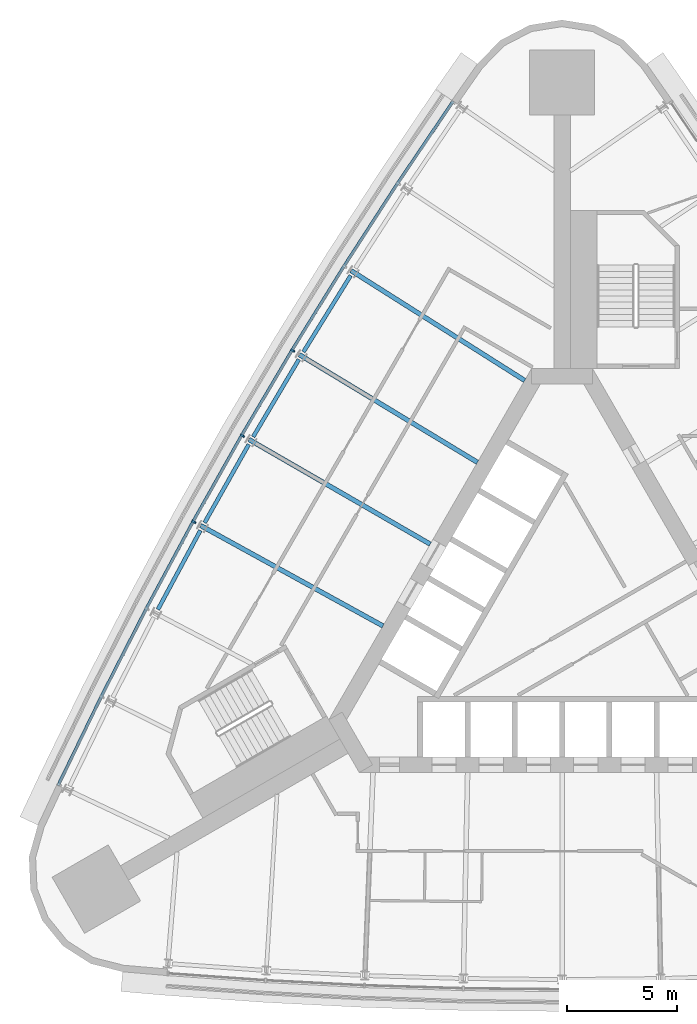
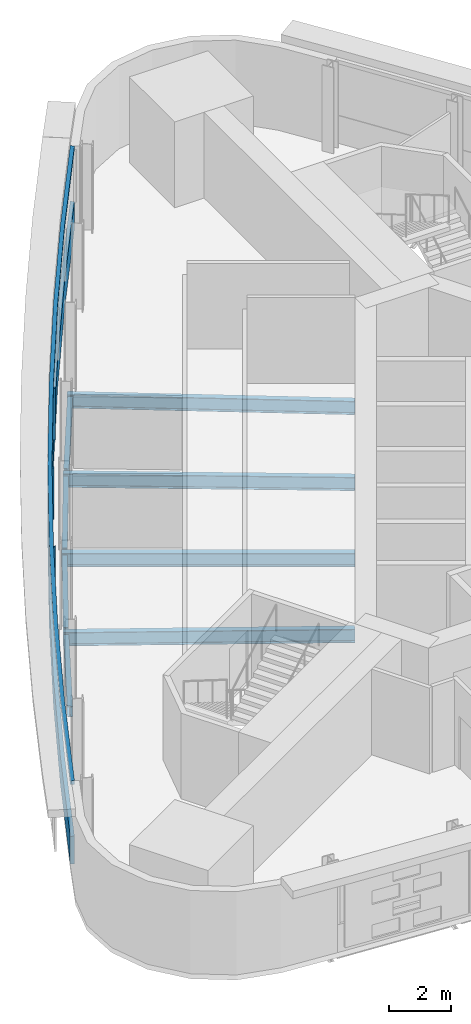
# One storey, part 3 of 11: 8 beams, 5 members, 1 element without a shape of its own.
"""IFC4 building model written with IfcOpenShell, lengths in metres."""

import ifcopenshell
import ifcopenshell.guid

model = None  # the IFC model being written
_history = None  # IfcOwnerHistory: only IFC2X3 demands one
_inside = {}  # id of a spatial element -> (the spatial element, [elements in it])
_under = {}  # id of a project, library or spatial element -> (it, [spatial elements below it])
_declared = {}  # id of a project -> (the project, [libraries it declares])
_typed = {}  # id of a type object -> (the type object, [elements of that type])
_made_of = {}  # id of a material, layer set ... -> (it, [elements and type objects made of it])


def new_model(schema):
    """Start an empty IFC model of exactly this schema.

    Asked for "IFC4X3", IfcOpenShell would pick the latest addendum, in which some entities
    have other attributes; the version numbers below select the first issue.
    IFC2X3 requires an IfcOwnerHistory on every rooted entity: one is made here for all.
    """
    global model, _history
    if schema == "IFC4X3":
        model = ifcopenshell.file(schema_version=(4, 3, 0, 0))
    else:
        model = ifcopenshell.file(schema=schema)
    _inside.clear()
    _under.clear()
    _declared.clear()
    _typed.clear()
    _made_of.clear()
    _history = None
    if model.schema == "IFC2X3":
        org = make("IfcOrganization", Name="unknown")
        user = make(
            "IfcPersonAndOrganization",
            ThePerson=make("IfcPerson", FamilyName="unknown"),
            TheOrganization=org,
        )
        app = make(
            "IfcApplication",
            ApplicationDeveloper=org,
            Version="unknown",
            ApplicationFullName="unknown",
            ApplicationIdentifier="unknown",
        )
        _history = make(
            "IfcOwnerHistory",
            OwningUser=user,
            OwningApplication=app,
            ChangeAction="ADDED",
            CreationDate=0,
        )
    return model


def make(cls, **values):
    """One entity of the class cls with the attributes given. An attribute that is None is left unset."""
    return model.create_entity(
        cls, **{name: value for name, value in values.items() if value is not None}
    )


def rooted(cls, **values):
    """An entity with a GlobalId (a new one), such as an element, a storey or a relation."""
    return make(cls, GlobalId=ifcopenshell.guid.new(), OwnerHistory=_history, **values)


def si_unit(unit_type, name, prefix=None):
    """IfcSIUnit, for example si_unit("LENGTHUNIT", "METRE", prefix="MILLI")."""
    return make("IfcSIUnit", UnitType=unit_type, Prefix=prefix, Name=name)


def assignment(units):
    """IfcUnitAssignment: the units of a project."""
    return None if units is None else make("IfcUnitAssignment", Units=units)


def point(xyz):
    """IfcCartesianPoint."""
    return None if xyz is None else make("IfcCartesianPoint", Coordinates=xyz)


def direction(xyz):
    """IfcDirection."""
    return None if xyz is None else make("IfcDirection", DirectionRatios=xyz)


def frame(location, z_axis=None, x_axis=None):
    """IfcAxis2Placement3D, a coordinate frame: its origin and axes. An axis left out is left unset."""
    return make(
        "IfcAxis2Placement3D",
        Location=point(location),
        Axis=direction(z_axis),
        RefDirection=direction(x_axis),
    )


def frame_2d(location, x_axis=None):
    """IfcAxis2Placement2D, a coordinate frame in the plane: its origin and x axis."""
    return make(
        "IfcAxis2Placement2D", Location=point(location), RefDirection=direction(x_axis)
    )


def origin():
    """The frame at (0, 0, 0) with its axes left unset."""
    return frame((0.0, 0.0, 0.0))


def origin_2d():
    """The frame at (0, 0) in the plane with its x axis left unset."""
    return frame_2d((0.0, 0.0))


def place(relative_to, where):
    """IfcLocalPlacement: puts the frame where relative to a parent placement (None: the world)."""
    return make(
        "IfcLocalPlacement", PlacementRelTo=relative_to, RelativePlacement=where
    )


def context(
    kind, dimensions, precision=None, world=None, true_north=None, identifier=None
):
    """IfcGeometricRepresentationContext, for example the 3D "Model" context."""
    return make(
        "IfcGeometricRepresentationContext",
        ContextIdentifier=identifier,
        ContextType=kind,
        CoordinateSpaceDimension=dimensions,
        Precision=precision,
        WorldCoordinateSystem=world,
        TrueNorth=true_north,
    )


def subcontext(parent, identifier, kind, view, scale=None):
    """IfcGeometricRepresentationSubContext, for example "Body" below "Model"."""
    return make(
        "IfcGeometricRepresentationSubContext",
        ContextIdentifier=identifier,
        ContextType=kind,
        ParentContext=parent,
        TargetScale=scale,
        TargetView=view,
    )


def project(units=None, contexts=None):
    """IfcProject with its units and contexts."""
    return rooted(
        "IfcProject",
        Name="project",
        RepresentationContexts=contexts,
        UnitsInContext=assignment(units),
    )


def spatial(cls, under=None, at=None, **own):
    """A site, building, storey or space (cls), placed at a placement, below another one or the project."""
    s = rooted(cls, ObjectPlacement=at, **own)
    if under is not None:
        _under.setdefault(under.id(), (under, []))[1].append(s)
    return s


def polyline(points):
    """IfcPolyline through the points."""
    return make("IfcPolyline", Points=[point(p) for p in points])


def profile(cls, at=None, kind="AREA", **sizes):
    """A parametric profile (cls). Its sizes go by their IFC names, for example OverallWidth=200.0."""
    return make(cls, ProfileType=kind, Position=at, **sizes)


def rectangle(**sizes):
    """IfcRectangleProfileDef."""
    return profile("IfcRectangleProfileDef", **sizes)


def i_section(**sizes):
    """IfcIShapeProfileDef."""
    return profile("IfcIShapeProfileDef", **sizes)


def outline(outer, holes=None, kind="AREA"):
    """IfcArbitraryClosedProfileDef: a profile drawn as a closed curve; with holes, ...WithVoids."""
    if holes is None:
        return make("IfcArbitraryClosedProfileDef", ProfileType=kind, OuterCurve=outer)
    return make(
        "IfcArbitraryProfileDefWithVoids",
        ProfileType=kind,
        OuterCurve=outer,
        InnerCurves=holes,
    )


def extrude(swept, where, along, depth):
    """IfcExtrudedAreaSolid: the profile swept, set in the frame where, extruded along a direction by depth."""
    return make(
        "IfcExtrudedAreaSolid",
        SweptArea=swept,
        Position=where,
        ExtrudedDirection=direction(along),
        Depth=depth,
    )


def shape(context_of_items, identifier, shape_type, items):
    """IfcShapeRepresentation: the items that make up one representation, for example the "Body"."""
    return make(
        "IfcShapeRepresentation",
        ContextOfItems=context_of_items,
        RepresentationIdentifier=identifier,
        RepresentationType=shape_type,
        Items=items,
    )


def material(Name=None, Category=None):
    """IfcMaterial."""
    return make("IfcMaterial", Name=Name, Category=Category)


def material_profile(
    of_material, cross_section, Name=None, Category=None, Priority=None
):
    """IfcMaterialProfile: a cross section and its material."""
    return make(
        "IfcMaterialProfile",
        Name=Name,
        Material=of_material,
        Profile=cross_section,
        Priority=Priority,
        Category=Category,
    )


def profile_set(profiles, Name=None, composite=None):
    """IfcMaterialProfileSet."""
    return make(
        "IfcMaterialProfileSet",
        Name=Name,
        MaterialProfiles=profiles,
        CompositeProfile=composite,
    )


def made_of(thing, what):
    """Note that an element or type object is made of a material, layer set ...; save() writes the relation."""
    if what is not None:
        _made_of.setdefault(what.id(), (what, []))[1].append(thing)
    return thing


def type_object(cls, material=None, **own):
    """A type object (cls), such as IfcWallType, which elements share."""
    return made_of(rooted(cls, **own), material)


def element(
    cls,
    number,
    at=None,
    inside=None,
    cuts=None,
    type_object=None,
    material=None,
    context=None,
    identifier="Body",
    shape_type=None,
    held_by="IfcProductDefinitionShape",
    body=None,
    shapes=None,
    **own,
):
    """One element of the class cls, such as IfcWall. Its Tag is "e" and its number.

    at: its placement. inside: the storey or other place that contains it. cuts: it is an
    opening in that element (IfcRelVoidsElement). A single representation is given by context,
    identifier, shape_type and body (its items); several are given by shapes. held_by: the class
    of the entity that holds the representations. save() writes the other relations.
    """
    e = rooted(cls, Tag="e%d" % number, ObjectPlacement=at, **own)
    if body is not None:
        shapes = [shape(context, identifier, shape_type, body)]
    if shapes is not None:
        e.Representation = make(held_by, Representations=shapes)
    if inside is not None:
        _inside.setdefault(inside.id(), (inside, []))[1].append(e)
    if cuts is not None:
        rooted(
            "IfcRelVoidsElement", RelatingBuildingElement=cuts, RelatedOpeningElement=e
        )
    if type_object is not None:
        _typed.setdefault(type_object.id(), (type_object, []))[1].append(e)
    return made_of(e, material)


def aggregate(whole, parts):
    """IfcRelAggregates: a whole, such as a stair, and the parts it consists of."""
    return rooted("IfcRelAggregates", RelatingObject=whole, RelatedObjects=parts)


def save(model, path):
    """Write the relations noted so far, then the file.

    IfcRelAggregates (storeys below a building ...), IfcRelContainedInSpatialStructure (elements
    in a storey), IfcRelDefinesByType, IfcRelAssociatesMaterial and IfcRelDeclares: one each for
    every whole, place, type object, material and project.
    """
    for whole, parts in _under.values():
        aggregate(whole, parts)
    for where, things in _inside.values():
        rooted(
            "IfcRelContainedInSpatialStructure",
            RelatedElements=things,
            RelatingStructure=where,
        )
    for kind, things in _typed.values():
        rooted("IfcRelDefinesByType", RelatedObjects=things, RelatingType=kind)
    for what, things in _made_of.values():
        rooted("IfcRelAssociatesMaterial", RelatedObjects=things, RelatingMaterial=what)
    for by, libraries in _declared.values():
        rooted("IfcRelDeclares", RelatingContext=by, RelatedDefinitions=libraries)
    model.write(path)


model = new_model("IFC4")

# Units and contexts
model_context = context("Model", 3, precision=1e-05, world=origin(), true_north=direction((0.0, 1.0)))
body_context = subcontext(model_context, "Body", "Model", "MODEL_VIEW")
ifc_project = project(units=[si_unit("LENGTHUNIT", "METRE"), si_unit("AREAUNIT", "SQUARE_METRE"), si_unit("VOLUMEUNIT", "CUBIC_METRE"), si_unit("PLANEANGLEUNIT", "RADIAN"), si_unit("MASSUNIT", "GRAM", prefix="KILO")], contexts=[model_context])

# Site, building, storey
site_placement = place(None, origin())
site = spatial("IfcSite", under=ifc_project, at=site_placement, CompositionType="ELEMENT")
building_placement = place(site_placement, origin())
building = spatial("IfcBuilding", under=site, at=building_placement, Name="Noor Cloister Tower", CompositionType="ELEMENT")
storey_placement = place(building_placement, frame((0.0, 0.0, 120.300048828125)))
storey = spatial("IfcBuildingStorey", under=building, at=storey_placement, Name="L31", CompositionType="ELEMENT", Elevation=120.300048828125)

# Curtain wall, members
ifc_material_1 = material(Name="Aluminium 6063-T6 anodised", Category="aluminium")
curtain_wall_type = type_object("IfcCurtainWallType", Name="Ribbon curtain wall, lower tower CW1", PredefinedType="NOTDEFINED", material=ifc_material_1)
curtain_wall_placement = place(storey_placement, origin())
curtain_wall = element("IfcCurtainWall", 1, at=curtain_wall_placement, inside=storey, type_object=curtain_wall_type, Name="CW1 L31 NW run 1", PredefinedType="NOTDEFINED")
ifc_material_2 = material(Name="Aluminium 6063-T6 anodised", Category="aluminium")
member_type_1 = type_object("IfcMemberType", Name="Head transom CW1 150", PredefinedType="USERDEFINED", material=ifc_material_2)
member_1_placement = place(storey_placement, frame((0.0, 0.0, 3.14990234375)))
member_1 = element("IfcMember", 2, at=member_1_placement, type_object=member_type_1, Name="CW1 head transom", ObjectType="TRANSOM", PredefinedType="USERDEFINED", context=body_context, shape_type="SweptSolid", body=[
    extrude(outline(polyline([(-5.0126953125, 23.65576171875), (-7.533447265625, 19.92822265625), (-9.978271484375, 16.150390625), (-12.345703125, 12.323486328125), (-14.635009765625, 8.449462890625), (-16.845458984375, 4.52978515625), (-18.9755859375, 0.566162109375), (-21.025146484375, -3.43994140625), (-22.992919921875, -7.48681640625), (-22.866943359375, -7.548095703125), (-20.89990234375, -3.50244140625), (-18.851806640625, 0.501220703125), (-16.72265625, 4.46240234375), (-14.513916015625, 8.379638671875), (-12.225830078125, 12.251220703125), (-9.85986328125, 16.075439453125), (-7.416748046875, 19.85107421875), (-4.896728515625, 23.577392578125), (-5.0126953125, 23.65576171875)])), origin(), (0.0, 0.0, 1.0), 0.150146484375),
])
ifc_material_3 = material(Name="Aluminium 6063-T6 anodised", Category="aluminium")
ifc_material_profile_1 = material_profile(ifc_material_3, rectangle(XDim=0.199951171875, YDim=0.080078125, at=origin_2d()), Name="200 x 80 mullion")
ifc_profile_set_1 = profile_set([ifc_material_profile_1], Name="Aluminium 6063-T6 anodised")
member_type_2 = type_object("IfcMemberType", Name="Mullion CW1 80 x 200", PredefinedType="MULLION", material=ifc_profile_set_1)
member_2_placement = place(storey_placement, frame((-12.26025390625, 12.271728515625, 1.099853515625), z_axis=(0.0, 0.0, 1.0), x_axis=(0.855700352132, -0.517471648848, 0.0)))
member_2 = element("IfcMember", 3, at=member_2_placement, type_object=member_type_2, Name="CW1 mullion 4", PredefinedType="MULLION", context=body_context, shape_type="SweptSolid", body=[
    extrude(rectangle(XDim=0.199951171875, YDim=0.080078125, at=origin_2d()), origin(), (0.0, 0.0, 1.0), 2.050048828125),
])
member_3_placement = place(storey_placement, frame((-14.548583984375, 8.399658203125, 1.099853515625), z_axis=(0.0, 0.0, 1.0), x_axis=(0.866025403784, -0.5, 0.0)))
member_3 = element("IfcMember", 4, at=member_3_placement, type_object=member_type_2, Name="CW1 mullion 5", PredefinedType="MULLION", context=body_context, shape_type="SweptSolid", body=[
    extrude(rectangle(XDim=0.199951171875, YDim=0.080078125, at=origin_2d()), origin(), (0.0, 0.0, 1.0), 2.050048828125),
])
member_4_placement = place(storey_placement, frame((-16.7578125, 4.481689453125, 1.099853515625), z_axis=(0.0, 0.0, 1.0), x_axis=(0.875993769707, -0.482322418549, 0.0)))
member_4 = element("IfcMember", 5, at=member_4_placement, type_object=member_type_2, Name="CW1 mullion 6", PredefinedType="MULLION", context=body_context, shape_type="SweptSolid", body=[
    extrude(rectangle(XDim=0.199951171875, YDim=0.080078125, at=origin_2d()), origin(), (0.0, 0.0, 1.0), 2.050048828125),
])

# Beams
ifc_material_4 = material(Name="Steel ASTM A992 Gr 50", Category="steel")
ifc_material_profile_2 = material_profile(ifc_material_4, i_section(OverallWidth=0.208984375, OverallDepth=0.532958984375, WebThickness=0.01025390625, FlangeThickness=0.015625, FilletRadius=0.0126953125, at=origin_2d()), Name="W530x92")
ifc_profile_set_2 = profile_set([ifc_material_profile_2], Name="Steel ASTM A992 Gr 50")
beam_type_1 = type_object("IfcBeamType", Name="Radial beam W530x92", PredefinedType="BEAM", material=ifc_profile_set_2)
beam_1_placement = place(storey_placement, frame((-9.598388671875, 15.909912109375, -0.466552734375), z_axis=(0.845026810046, -0.534723938405, 0.0), x_axis=(0.534723938405, 0.845026810046, 0.0)))
element("IfcBeam", 6, at=beam_1_placement, inside=storey, type_object=beam_type_1, Name="Radial beam NW 03 L31", PredefinedType="BEAM", context=body_context, shape_type="SweptSolid", body=[
    extrude(i_section(OverallWidth=0.208984375, OverallDepth=0.532958984375, WebThickness=0.01025390625, FlangeThickness=0.015625, FilletRadius=0.0126953125, at=origin_2d()), origin(), (0.0, 0.0, 1.0), 9.346923828125),
])
beam_2_placement = place(storey_placement, frame((-11.961181640625, 12.091064453125, -0.466552734375), z_axis=(0.85570360183, -0.51746627505, 0.0), x_axis=(0.51746627505, 0.85570360183, 0.0)))
element("IfcBeam", 7, at=beam_2_placement, inside=storey, type_object=beam_type_1, Name="Radial beam NW 04 L31", PredefinedType="BEAM", context=body_context, shape_type="SweptSolid", body=[
    extrude(i_section(OverallWidth=0.208984375, OverallDepth=0.532958984375, WebThickness=0.01025390625, FlangeThickness=0.015625, FilletRadius=0.0126953125, at=origin_2d()), origin(), (0.0, 0.0, 1.0), 9.47802734375),
])
beam_3_placement = place(storey_placement, frame((-14.245849609375, 8.224853515625, -0.466552734375), z_axis=(0.866025463095, -0.499999897272, 0.0), x_axis=(0.499999897272, 0.866025463095, 0.0)))
element("IfcBeam", 8, at=beam_3_placement, inside=storey, type_object=beam_type_1, Name="Radial beam NW 05 L31", PredefinedType="BEAM", context=body_context, shape_type="SweptSolid", body=[
    extrude(i_section(OverallWidth=0.208984375, OverallDepth=0.532958984375, WebThickness=0.01025390625, FlangeThickness=0.015625, FilletRadius=0.0126953125, at=origin_2d()), origin(), (0.0, 0.0, 1.0), 9.521484375),
])
beam_4_placement = place(storey_placement, frame((-16.45166015625, 4.31298828125, -0.466552734375), z_axis=(0.875996641486, -0.482317202787, 0.0), x_axis=(0.482317202787, 0.875996641486, 0.0)))
element("IfcBeam", 9, at=beam_4_placement, inside=storey, type_object=beam_type_1, Name="Radial beam NW 06 L31", PredefinedType="BEAM", context=body_context, shape_type="SweptSolid", body=[
    extrude(i_section(OverallWidth=0.208984375, OverallDepth=0.532958984375, WebThickness=0.01025390625, FlangeThickness=0.015625, FilletRadius=0.0126953125, at=origin_2d()), origin(), (0.0, 0.0, 1.0), 9.477783203125),
])

# Member
ifc_material_5 = material(Name="Aluminium 6063-T6 anodised", Category="aluminium")
member_type_3 = type_object("IfcMemberType", Name="Sill transom CW1 1100", PredefinedType="USERDEFINED", material=ifc_material_5)
member_5_placement = place(storey_placement, origin())
member_5 = element("IfcMember", 10, at=member_5_placement, type_object=member_type_3, Name="CW1 sill transom", ObjectType="TRANSOM", PredefinedType="USERDEFINED", context=body_context, shape_type="SweptSolid", body=[
    extrude(outline(polyline([(-5.0126953125, 23.65576171875), (-7.533447265625, 19.92822265625), (-9.978271484375, 16.150390625), (-12.345703125, 12.323486328125), (-14.635009765625, 8.449462890625), (-16.845458984375, 4.52978515625), (-18.9755859375, 0.566162109375), (-21.025146484375, -3.43994140625), (-22.992919921875, -7.48681640625), (-22.866943359375, -7.548095703125), (-20.89990234375, -3.50244140625), (-18.851806640625, 0.501220703125), (-16.72265625, 4.46240234375), (-14.513916015625, 8.379638671875), (-12.225830078125, 12.251220703125), (-9.85986328125, 16.075439453125), (-7.416748046875, 19.85107421875), (-4.896728515625, 23.577392578125), (-5.0126953125, 23.65576171875)])), origin(), (0.0, 0.0, 1.0), 1.099853515625),
])

aggregate(curtain_wall, [member_2, member_3, member_4, member_5, member_1])

# Beams
ifc_material_6 = material(Name="Steel ASTM A992 Gr 50", Category="steel")
ifc_material_profile_3 = material_profile(ifc_material_6, i_section(OverallWidth=0.177978515625, OverallDepth=0.406005859375, WebThickness=0.0078125, FlangeThickness=0.0126953125, FilletRadius=0.01025390625, at=origin_2d()), Name="W410x60")
ifc_profile_set_3 = profile_set([ifc_material_profile_3], Name="Steel ASTM A992 Gr 50")
beam_type_2 = type_object("IfcBeamType", Name="Spandrel beam W410x60", PredefinedType="SPANDREL", material=ifc_profile_set_3)
for number, where, z_axis, x_axis, name in (
    (11, (-9.618896484375, 15.685791015625, -0.403076171875), (-0.526111975174, -0.850415304177, 0.0), (0.850415304177, -0.526111975174, 0.0), "Spandrel beam NW 03 L31"),
    (12, (-11.97705078125, 11.866455078125, -0.403076171875), (-0.508775589434, -0.860899180854, 0.0), (0.860899180854, -0.508775589434, 0.0), "Spandrel beam NW 04 L31"),
    (13, (-14.25732421875, 8.0, -0.403076171875), (-0.491165510925, -0.87106626664, 0.0), (0.87106626664, -0.491165510925, 0.0), "Spandrel beam NW 05 L31"),
    (14, (-16.45849609375, 4.088134765625, -0.403076171875), (-0.473415891139, -0.880839028436, 0.0), (0.880839028436, -0.473415891139, 0.0), "Spandrel beam NW 06 L31"),
):
    element("IfcBeam", number, at=place(storey_placement, frame(where, z_axis=z_axis, x_axis=x_axis)), inside=storey, type_object=beam_type_2, Name=name, PredefinedType="SPANDREL", context=body_context, shape_type="SweptSolid", body=[
        extrude(i_section(OverallWidth=0.177978515625, OverallDepth=0.406005859375, WebThickness=0.0078125, FlangeThickness=0.0126953125, FilletRadius=0.01025390625, at=origin_2d()), origin(), (0.0, 0.0, 1.0), 4.087890625),
    ])

save(model, "model.ifc")
